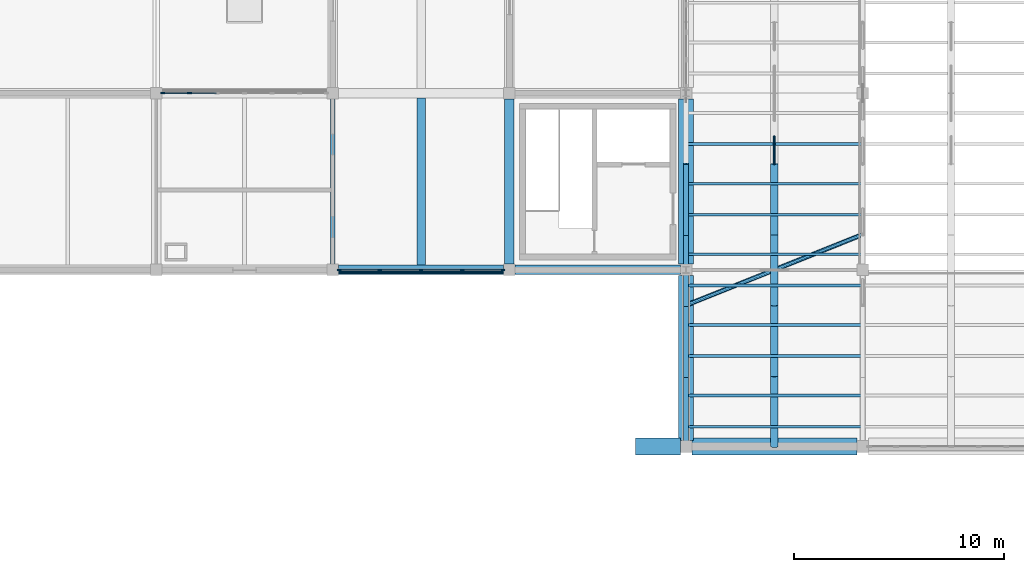
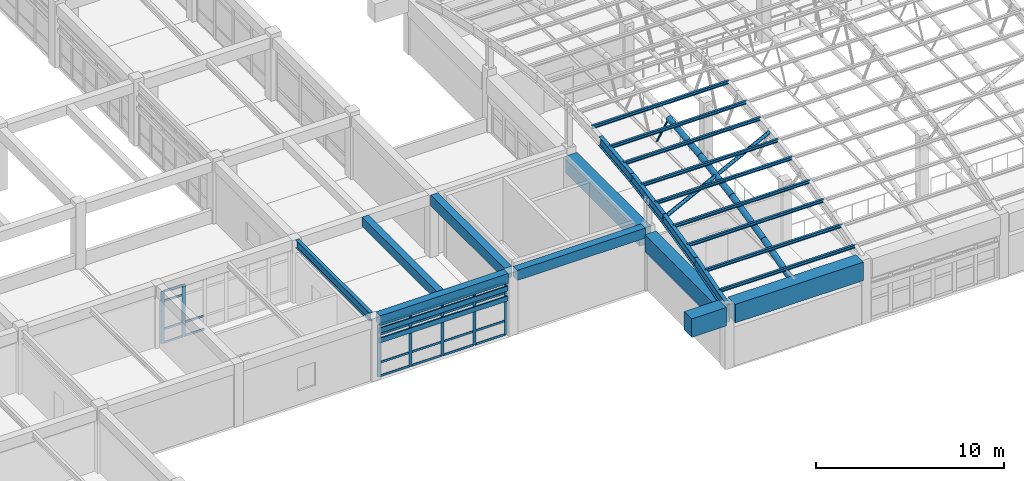
# One storey, part 14 of 74: 46 members, 13 beams, 2 elements without a shape of their own.
"""IFC4 building model written with IfcOpenShell, lengths in metres."""

from ifc_helpers import new_model, si_unit, direction, frame, origin, origin_2d, place, context, subcontext, project, spatial, rectangle, hollow_circle, i_section, extrude, material, layer, layer_set, material_profile, profile_set, type_object, element, aggregate, save


model = new_model("IFC4")

# Units and contexts
model_context = context("Model", 3, precision=1e-05, world=origin(), true_north=direction((0.0, 1.0)))
body_context = subcontext(model_context, "Body", "Model", "MODEL_VIEW")
ifc_project = project(units=[si_unit("LENGTHUNIT", "METRE"), si_unit("AREAUNIT", "SQUARE_METRE"), si_unit("VOLUMEUNIT", "CUBIC_METRE"), si_unit("PLANEANGLEUNIT", "RADIAN"), si_unit("MASSUNIT", "GRAM", prefix="KILO")], contexts=[model_context])

# Site, building, storey
site_placement = place(None, origin())
site = spatial("IfcSite", under=ifc_project, at=site_placement, CompositionType="ELEMENT")
building_placement = place(site_placement, origin())
building = spatial("IfcBuilding", under=site, at=building_placement, Name="Porcellanite Civic Hall", CompositionType="ELEMENT")
storey_placement = place(building_placement, frame((0.0, 0.0, 14.760009765625)))
storey = spatial("IfcBuildingStorey", under=building, at=storey_placement, Name="L03", CompositionType="ELEMENT", Elevation=14.760009765625)

# Members
ifc_material_1 = material(Name="Steel C350L0", Category="steel")
ifc_material_profile_1 = material_profile(ifc_material_1, hollow_circle(Radius=0.177734375, WallThickness=0.0126953125, at=origin_2d()), Name="355.6x12.7CHS")
ifc_profile_set_1 = profile_set([ifc_material_profile_1], Name="Steel C350L0")
member_type_1 = type_object("IfcMemberType", Name="ARCH-355CHS", PredefinedType="RAFTER", material=ifc_profile_set_1)
member_1_placement = place(storey_placement, frame((71.39990234375, 42.0, 3.725830078125), z_axis=(0.0, 0.961270518067, 0.275606587539), x_axis=(-1.0, 0.0, 0.0)))
element("IfcMember", 1, at=member_1_placement, inside=storey, type_object=member_type_1, Name="Chamber secondary arch segment 8 1", PredefinedType="RAFTER", context=body_context, shape_type="SweptSolid", body=[
    extrude(hollow_circle(Radius=0.177734375, WallThickness=0.0126953125, at=origin_2d()), origin(), (0.0, 0.0, 1.0), 3.49560546875),
])
member_2_placement = place(storey_placement, frame((71.39990234375, 45.360107421875, 4.69580078125), z_axis=(0.0, 0.975143991334, 0.221572101504), x_axis=(-1.0, 0.0, 0.0)))
element("IfcMember", 2, at=member_2_placement, inside=storey, type_object=member_type_1, Name="Chamber secondary arch segment 8 2", PredefinedType="RAFTER", context=body_context, shape_type="SweptSolid", body=[
    extrude(hollow_circle(Radius=0.177734375, WallThickness=0.0126953125, at=origin_2d()), origin(), (0.0, 0.0, 1.0), 3.445556640625),
])
member_3_placement = place(storey_placement, frame((71.39990234375, 48.719970703125, 5.465087890625), z_axis=(0.0, 0.985994119278, 0.166780084987), x_axis=(-1.0, 0.0, 0.0)))
element("IfcMember", 3, at=member_3_placement, inside=storey, type_object=member_type_1, Name="Chamber secondary arch segment 8 3", PredefinedType="RAFTER", context=body_context, shape_type="SweptSolid", body=[
    extrude(hollow_circle(Radius=0.177734375, WallThickness=0.0126953125, at=origin_2d()), origin(), (0.0, 0.0, 1.0), 3.407958984375),
])
member_4_placement = place(storey_placement, frame((71.39990234375, 52.080078125, 6.03857421875), z_axis=(0.0, 0.993765164221, 0.111493490304), x_axis=(-1.0, 0.0, 0.0)))
element("IfcMember", 4, at=member_4_placement, inside=storey, type_object=member_type_1, Name="Chamber secondary arch segment 8 4", PredefinedType="RAFTER", context=body_context, shape_type="SweptSolid", body=[
    extrude(hollow_circle(Radius=0.177734375, WallThickness=0.0126953125, at=origin_2d()), origin(), (0.0, 0.0, 1.0), 3.380859375),
])

# Beams
ifc_material_2 = material(Name="Concrete N50 (50 MPa)", Category="concrete")
ifc_material_profile_2 = material_profile(ifc_material_2, rectangle(XDim=0.39990234375, YDim=0.60009765625, at=origin_2d()), Name="RC-400x600")
ifc_profile_set_2 = profile_set([ifc_material_profile_2], Name="Concrete N50 (50 MPa)")
beam_type_1 = type_object("IfcBeamType", Name="BM-RC600", PredefinedType="JOIST", material=ifc_profile_set_2)
beam_1_placement = place(storey_placement, frame((54.60009765625, 50.62451171875, 3.77001953125), z_axis=(0.0, 1.0, 0.0), x_axis=(-1.0, 0.0, 0.0)))
element("IfcBeam", 5, at=beam_1_placement, inside=storey, type_object=beam_type_1, Name="Secondary joist L03 7-7", PredefinedType="JOIST", context=body_context, shape_type="SweptSolid", body=[
    extrude(rectangle(XDim=0.39990234375, YDim=0.60009765625, at=origin_2d()), origin(), (0.0, 0.0, 1.0), 7.950927734375),
])
ifc_material_3 = material(Name="Concrete N50 (50 MPa)", Category="concrete")
ifc_material_profile_3 = material_profile(ifc_material_3, rectangle(XDim=0.449951171875, YDim=0.64990234375, at=origin_2d()), Name="RC-450x650")
ifc_profile_set_3 = profile_set([ifc_material_profile_3], Name="Concrete N50 (50 MPa)")
beam_type_2 = type_object("IfcBeamType", Name="BM-RC650", PredefinedType="SPANDREL", material=ifc_profile_set_3)
beam_2_placement = place(storey_placement, frame((50.674560546875, 50.39990234375, 3.744873046875), z_axis=(1.0, 0.0, 0.0), x_axis=(0.0, 1.0, 0.0)))
element("IfcBeam", 6, at=beam_2_placement, inside=storey, type_object=beam_type_2, Name="Beam X L03 7-7", PredefinedType="SPANDREL", context=body_context, shape_type="SweptSolid", body=[
    extrude(rectangle(XDim=0.449951171875, YDim=0.64990234375, at=origin_2d()), origin(), (0.0, 0.0, 1.0), 7.850830078125),
])
beam_3_placement = place(storey_placement, frame((59.074462890625, 50.39990234375, 3.744873046875), z_axis=(1.0, 0.0, 0.0), x_axis=(0.0, 1.0, 0.0)))
element("IfcBeam", 7, at=beam_3_placement, inside=storey, type_object=beam_type_2, Name="Beam X L03 8-7", PredefinedType="SPANDREL", context=body_context, shape_type="SweptSolid", body=[
    extrude(rectangle(XDim=0.449951171875, YDim=0.64990234375, at=origin_2d()), origin(), (0.0, 0.0, 1.0), 7.85107421875),
])
ifc_material_4 = material(Name="Concrete N50 (50 MPa)", Category="concrete")
ifc_material_profile_4 = material_profile(ifc_material_4, rectangle(XDim=0.449951171875, YDim=0.699951171875, at=origin_2d()), Name="RC-450x700")
ifc_profile_set_4 = profile_set([ifc_material_profile_4], Name="Concrete N50 (50 MPa)")
beam_type_3 = type_object("IfcBeamType", Name="BM-RC700", PredefinedType="BEAM", material=ifc_profile_set_4)
beam_4_placement = place(storey_placement, frame((58.800048828125, 50.674560546875, 3.719970703125), z_axis=(0.0, 1.0, 0.0), x_axis=(-1.0, 0.0, 0.0)))
element("IfcBeam", 8, at=beam_4_placement, inside=storey, type_object=beam_type_3, Name="Beam Y L03 8-7", PredefinedType="BEAM", context=body_context, shape_type="SweptSolid", body=[
    extrude(rectangle(XDim=0.449951171875, YDim=0.699951171875, at=origin_2d()), origin(), (0.0, 0.0, 1.0), 7.850830078125),
])

# Members
ifc_material_5 = material(Name="Steel C350L0", Category="steel")
ifc_material_profile_5 = material_profile(ifc_material_5, hollow_circle(Radius=0.05712890625, WallThickness=0.006103515625, at=origin_2d()), Name="114.3x6.0CHS")
ifc_profile_set_5 = profile_set([ifc_material_profile_5], Name="Steel C350L0")
member_type_2 = type_object("IfcMemberType", Name="BRC-114CHS", PredefinedType="BRACE", material=ifc_profile_set_5)
member_5_placement = place(storey_placement, frame((71.39990234375, 56.739990234375, 4.11474609375), z_axis=(0.0, -0.490720574749, 0.871317001738), x_axis=(1.0, 0.0, 0.0)))
element("IfcMember", 9, at=member_5_placement, inside=storey, type_object=member_type_2, Name="Chamber secondary arch web 8-1", PredefinedType="BRACE", context=body_context, shape_type="SweptSolid", body=[
    extrude(hollow_circle(Radius=0.05712890625, WallThickness=0.006103515625, at=origin_2d()), origin(), (0.0, 0.0, 1.0), 2.649169921875),
])
ifc_material_6 = material(Name="Steel C350L0", Category="steel")
ifc_material_profile_6 = material_profile(ifc_material_6, hollow_circle(Radius=0.109619140625, WallThickness=0.00830078125, at=origin_2d()), Name="219.1x8.2CHS")
ifc_profile_set_6 = profile_set([ifc_material_profile_6], Name="Steel C350L0")
member_type_3 = type_object("IfcMemberType", Name="BRC-219CHS", PredefinedType="BRACE", material=ifc_profile_set_6)
member_6_placement = place(storey_placement, frame((67.20703125, 48.719970703125, 5.5146484375), z_axis=(0.926426885078, 0.371201875436, 0.062788488412), x_axis=(-0.371935758166, 0.928258472516, 0.0)))
element("IfcMember", 10, at=member_6_placement, inside=storey, type_object=member_type_3, Name="Chamber shell wind brace 8", PredefinedType="BRACE", context=body_context, shape_type="SweptSolid", body=[
    extrude(hollow_circle(Radius=0.109619140625, WallThickness=0.00830078125, at=origin_2d()), origin(), (0.0, 0.0, 1.0), 9.052001953125),
])

# Curtain wall, members
ifc_material_7 = material(Name="Anodised aluminium and solar laminated glass", Category="aluminium")
ifc_layer_1 = layer(ifc_material_7, 0.179931640625)
ifc_layer_set_1 = layer_set([ifc_layer_1], Name="Anodised aluminium and solar laminated glass")
curtain_wall_type_1 = type_object("IfcCurtainWallType", Name="CW-SYS01", PredefinedType="NOTDEFINED", material=ifc_layer_set_1)
curtain_wall_1_placement = place(storey_placement, origin())
curtain_wall_1 = element("IfcCurtainWall", 11, at=curtain_wall_1_placement, inside=storey, type_object=curtain_wall_type_1, Name="Curtain wall CW-191", PredefinedType="NOTDEFINED")
ifc_material_8 = material(Name="Anodised aluminium 6063-T6", Category="aluminium")
ifc_material_profile_7 = material_profile(ifc_material_8, rectangle(XDim=0.070068359375, YDim=0.199951171875, at=origin_2d()), Name="AL-70x200")
ifc_profile_set_7 = profile_set([ifc_material_profile_7], Name="Anodised aluminium 6063-T6")
member_type_4 = type_object("IfcMemberType", Name="CWM-05", PredefinedType="MULLION", material=ifc_profile_set_7)
member_7_placement = place(storey_placement, frame((42.31103515625, 58.800048828125, 0.0), z_axis=(0.0, 0.0, 1.0), x_axis=(0.0, 1.0, 0.0)))
member_7 = element("IfcMember", 12, at=member_7_placement, type_object=member_type_4, Name="CW-191 mullion 1", PredefinedType="MULLION", context=body_context, shape_type="SweptSolid", body=[
    extrude(rectangle(XDim=0.070068359375, YDim=0.199951171875, at=origin_2d()), origin(), (0.0, 0.0, 1.0), 3.369873046875),
])
member_8_placement = place(storey_placement, frame((43.583984375, 58.800048828125, 0.0), z_axis=(0.0, 0.0, 1.0), x_axis=(0.0, 1.0, 0.0)))
member_8 = element("IfcMember", 13, at=member_8_placement, type_object=member_type_4, Name="CW-191 mullion 2", PredefinedType="MULLION", context=body_context, shape_type="SweptSolid", body=[
    extrude(rectangle(XDim=0.070068359375, YDim=0.199951171875, at=origin_2d()), origin(), (0.0, 0.0, 1.0), 3.369873046875),
])

ifc_material_9 = material(Name="Anodised aluminium and solar laminated glass", Category="aluminium")
ifc_layer_2 = layer(ifc_material_9, 0.179931640625)
ifc_layer_set_2 = layer_set([ifc_layer_2], Name="Anodised aluminium and solar laminated glass")
curtain_wall_type_2 = type_object("IfcCurtainWallType", Name="CW-SYS06", PredefinedType="NOTDEFINED", material=ifc_layer_set_2)
curtain_wall_2_placement = place(storey_placement, origin())
curtain_wall_2 = element("IfcCurtainWall", 14, at=curtain_wall_2_placement, inside=storey, type_object=curtain_wall_type_2, Name="Curtain wall CW-194", PredefinedType="NOTDEFINED")
ifc_material_10 = material(Name="Anodised aluminium 6063-T6", Category="aluminium")
ifc_material_profile_8 = material_profile(ifc_material_10, rectangle(XDim=0.06494140625, YDim=0.179931640625, at=origin_2d()), Name="AL-65x180")
ifc_profile_set_8 = profile_set([ifc_material_profile_8], Name="Anodised aluminium 6063-T6")
member_type_5 = type_object("IfcMemberType", Name="CWM-06", PredefinedType="MULLION", material=ifc_profile_set_8)
member_9_placement = place(storey_placement, frame((58.491455078125, 50.39990234375, 0.0), z_axis=(0.0, 0.0, 1.0), x_axis=(0.0, -1.0, 0.0)))
member_9 = element("IfcMember", 15, at=member_9_placement, type_object=member_type_5, Name="CW-194 mullion 1", PredefinedType="MULLION", context=body_context, shape_type="SweptSolid", body=[
    extrude(rectangle(XDim=0.06494140625, YDim=0.179931640625, at=origin_2d()), origin(), (0.0, 0.0, 1.0), 3.369873046875),
])
member_10_placement = place(storey_placement, frame((56.56201171875, 50.39990234375, 0.0), z_axis=(0.0, 0.0, 1.0), x_axis=(0.0, -1.0, 0.0)))
member_10 = element("IfcMember", 16, at=member_10_placement, type_object=member_type_5, Name="CW-194 mullion 2", PredefinedType="MULLION", context=body_context, shape_type="SweptSolid", body=[
    extrude(rectangle(XDim=0.06494140625, YDim=0.179931640625, at=origin_2d()), origin(), (0.0, 0.0, 1.0), 3.369873046875),
])
member_11_placement = place(storey_placement, frame((54.60009765625, 50.39990234375, 0.0), z_axis=(0.0, 0.0, 1.0), x_axis=(0.0, -1.0, 0.0)))
member_11 = element("IfcMember", 17, at=member_11_placement, type_object=member_type_5, Name="CW-194 mullion 3", PredefinedType="MULLION", context=body_context, shape_type="SweptSolid", body=[
    extrude(rectangle(XDim=0.06494140625, YDim=0.179931640625, at=origin_2d()), origin(), (0.0, 0.0, 1.0), 3.369873046875),
])
member_12_placement = place(storey_placement, frame((52.637939453125, 50.39990234375, 0.0), z_axis=(0.0, 0.0, 1.0), x_axis=(0.0, -1.0, 0.0)))
member_12 = element("IfcMember", 18, at=member_12_placement, type_object=member_type_5, Name="CW-194 mullion 4", PredefinedType="MULLION", context=body_context, shape_type="SweptSolid", body=[
    extrude(rectangle(XDim=0.06494140625, YDim=0.179931640625, at=origin_2d()), origin(), (0.0, 0.0, 1.0), 3.369873046875),
])
member_13_placement = place(storey_placement, frame((50.70849609375, 50.39990234375, 0.0), z_axis=(0.0, 0.0, 1.0), x_axis=(0.0, -1.0, 0.0)))
member_13 = element("IfcMember", 19, at=member_13_placement, type_object=member_type_5, Name="CW-194 mullion 5", PredefinedType="MULLION", context=body_context, shape_type="SweptSolid", body=[
    extrude(rectangle(XDim=0.06494140625, YDim=0.179931640625, at=origin_2d()), origin(), (0.0, 0.0, 1.0), 3.369873046875),
])

# Member
ifc_material_11 = material(Name="Anodised aluminium 6063-T6", Category="aluminium")
ifc_material_profile_9 = material_profile(ifc_material_11, rectangle(XDim=0.06005859375, YDim=0.1298828125, at=origin_2d()), Name="AL-60x130")
ifc_profile_set_9 = profile_set([ifc_material_profile_9], Name="Anodised aluminium 6063-T6")
member_type_6 = type_object("IfcMemberType", Name="CWT-03", PredefinedType="USERDEFINED", material=ifc_profile_set_9)
member_14_placement = place(storey_placement, frame((42.345947265625, 58.800048828125, 0.030029296875), z_axis=(1.0, 0.0, 0.0), x_axis=(0.0, 1.0, 0.0)))
member_14 = element("IfcMember", 20, at=member_14_placement, type_object=member_type_6, Name="CW-191 transom 1.1", ObjectType="TRANSOM", PredefinedType="USERDEFINED", context=body_context, shape_type="SweptSolid", body=[
    extrude(rectangle(XDim=0.06005859375, YDim=0.1298828125, at=origin_2d()), origin(), (0.0, 0.0, 1.0), 1.203125),
])

member_15_placement = place(storey_placement, frame((42.345947265625, 58.800048828125, 0.89990234375), z_axis=(1.0, 0.0, 0.0), x_axis=(0.0, 1.0, 0.0)))
member_15 = element("IfcMember", 21, at=member_15_placement, type_object=member_type_6, Name="CW-191 transom 1.2", ObjectType="TRANSOM", PredefinedType="USERDEFINED", context=body_context, shape_type="SweptSolid", body=[
    extrude(rectangle(XDim=0.06005859375, YDim=0.1298828125, at=origin_2d()), origin(), (0.0, 0.0, 1.0), 1.203125),
])

member_16_placement = place(storey_placement, frame((42.345947265625, 58.800048828125, 2.719970703125), z_axis=(1.0, 0.0, 0.0), x_axis=(0.0, 1.0, 0.0)))
member_16 = element("IfcMember", 22, at=member_16_placement, type_object=member_type_6, Name="CW-191 transom 1.3", ObjectType="TRANSOM", PredefinedType="USERDEFINED", context=body_context, shape_type="SweptSolid", body=[
    extrude(rectangle(XDim=0.06005859375, YDim=0.1298828125, at=origin_2d()), origin(), (0.0, 0.0, 1.0), 1.203125),
])

member_17_placement = place(storey_placement, frame((42.345947265625, 58.800048828125, 3.340087890625), z_axis=(1.0, 0.0, 0.0), x_axis=(0.0, 1.0, 0.0)))
member_17 = element("IfcMember", 23, at=member_17_placement, type_object=member_type_6, Name="CW-191 transom 1.4", ObjectType="TRANSOM", PredefinedType="USERDEFINED", context=body_context, shape_type="SweptSolid", body=[
    extrude(rectangle(XDim=0.06005859375, YDim=0.1298828125, at=origin_2d()), origin(), (0.0, 0.0, 1.0), 1.203125),
])

member_18_placement = place(storey_placement, frame((43.618896484375, 58.800048828125, 0.030029296875), z_axis=(1.0, 0.0, 0.0), x_axis=(0.0, 1.0, 0.0)))
member_18 = element("IfcMember", 24, at=member_18_placement, type_object=member_type_6, Name="CW-191 transom 2.1", ObjectType="TRANSOM", PredefinedType="USERDEFINED", context=body_context, shape_type="SweptSolid", body=[
    extrude(rectangle(XDim=0.06005859375, YDim=0.1298828125, at=origin_2d()), origin(), (0.0, 0.0, 1.0), 1.238037109375),
])

member_19_placement = place(storey_placement, frame((43.618896484375, 58.800048828125, 0.89990234375), z_axis=(1.0, 0.0, 0.0), x_axis=(0.0, 1.0, 0.0)))
member_19 = element("IfcMember", 25, at=member_19_placement, type_object=member_type_6, Name="CW-191 transom 2.2", ObjectType="TRANSOM", PredefinedType="USERDEFINED", context=body_context, shape_type="SweptSolid", body=[
    extrude(rectangle(XDim=0.06005859375, YDim=0.1298828125, at=origin_2d()), origin(), (0.0, 0.0, 1.0), 1.238037109375),
])

aggregate(curtain_wall_1, [member_7, member_8, member_14, member_15, member_16, member_17, member_18, member_19])

ifc_material_12 = material(Name="Anodised aluminium 6063-T6", Category="aluminium")
ifc_material_profile_10 = material_profile(ifc_material_12, rectangle(XDim=0.050048828125, YDim=0.139892578125, at=origin_2d()), Name="AL-50x140")
ifc_profile_set_10 = profile_set([ifc_material_profile_10], Name="Anodised aluminium 6063-T6")
member_type_7 = type_object("IfcMemberType", Name="CWT-06", PredefinedType="USERDEFINED", material=ifc_profile_set_10)
member_20_placement = place(storey_placement, frame((58.458984375, 50.39990234375, 0.02490234375), z_axis=(-1.0, 0.0, 0.0), x_axis=(0.0, -1.0, 0.0)))
member_20 = element("IfcMember", 26, at=member_20_placement, type_object=member_type_7, Name="CW-194 transom 1.1", ObjectType="TRANSOM", PredefinedType="USERDEFINED", context=body_context, shape_type="SweptSolid", body=[
    extrude(rectangle(XDim=0.050048828125, YDim=0.139892578125, at=origin_2d()), origin(), (0.0, 0.0, 1.0), 1.864501953125),
])

member_21_placement = place(storey_placement, frame((58.458984375, 50.39990234375, 0.89990234375), z_axis=(-1.0, 0.0, 0.0), x_axis=(0.0, -1.0, 0.0)))
member_21 = element("IfcMember", 27, at=member_21_placement, type_object=member_type_7, Name="CW-194 transom 1.2", ObjectType="TRANSOM", PredefinedType="USERDEFINED", context=body_context, shape_type="SweptSolid", body=[
    extrude(rectangle(XDim=0.050048828125, YDim=0.139892578125, at=origin_2d()), origin(), (0.0, 0.0, 1.0), 1.864501953125),
])

member_22_placement = place(storey_placement, frame((58.458984375, 50.39990234375, 2.719970703125), z_axis=(-1.0, 0.0, 0.0), x_axis=(0.0, -1.0, 0.0)))
member_22 = element("IfcMember", 28, at=member_22_placement, type_object=member_type_7, Name="CW-194 transom 1.3", ObjectType="TRANSOM", PredefinedType="USERDEFINED", context=body_context, shape_type="SweptSolid", body=[
    extrude(rectangle(XDim=0.050048828125, YDim=0.139892578125, at=origin_2d()), origin(), (0.0, 0.0, 1.0), 1.864501953125),
])

member_23_placement = place(storey_placement, frame((58.458984375, 50.39990234375, 3.344970703125), z_axis=(-1.0, 0.0, 0.0), x_axis=(0.0, -1.0, 0.0)))
member_23 = element("IfcMember", 29, at=member_23_placement, type_object=member_type_7, Name="CW-194 transom 1.4", ObjectType="TRANSOM", PredefinedType="USERDEFINED", context=body_context, shape_type="SweptSolid", body=[
    extrude(rectangle(XDim=0.050048828125, YDim=0.139892578125, at=origin_2d()), origin(), (0.0, 0.0, 1.0), 1.864501953125),
])

member_24_placement = place(storey_placement, frame((56.529541015625, 50.39990234375, 0.02490234375), z_axis=(-1.0, 0.0, 0.0), x_axis=(0.0, -1.0, 0.0)))
member_24 = element("IfcMember", 30, at=member_24_placement, type_object=member_type_7, Name="CW-194 transom 2.1", ObjectType="TRANSOM", PredefinedType="USERDEFINED", context=body_context, shape_type="SweptSolid", body=[
    extrude(rectangle(XDim=0.050048828125, YDim=0.139892578125, at=origin_2d()), origin(), (0.0, 0.0, 1.0), 1.89697265625),
])

member_25_placement = place(storey_placement, frame((56.529541015625, 50.39990234375, 0.89990234375), z_axis=(-1.0, 0.0, 0.0), x_axis=(0.0, -1.0, 0.0)))
member_25 = element("IfcMember", 31, at=member_25_placement, type_object=member_type_7, Name="CW-194 transom 2.2", ObjectType="TRANSOM", PredefinedType="USERDEFINED", context=body_context, shape_type="SweptSolid", body=[
    extrude(rectangle(XDim=0.050048828125, YDim=0.139892578125, at=origin_2d()), origin(), (0.0, 0.0, 1.0), 1.89697265625),
])

member_26_placement = place(storey_placement, frame((56.529541015625, 50.39990234375, 2.719970703125), z_axis=(-1.0, 0.0, 0.0), x_axis=(0.0, -1.0, 0.0)))
member_26 = element("IfcMember", 32, at=member_26_placement, type_object=member_type_7, Name="CW-194 transom 2.3", ObjectType="TRANSOM", PredefinedType="USERDEFINED", context=body_context, shape_type="SweptSolid", body=[
    extrude(rectangle(XDim=0.050048828125, YDim=0.139892578125, at=origin_2d()), origin(), (0.0, 0.0, 1.0), 1.89697265625),
])

member_27_placement = place(storey_placement, frame((56.529541015625, 50.39990234375, 3.344970703125), z_axis=(-1.0, 0.0, 0.0), x_axis=(0.0, -1.0, 0.0)))
member_27 = element("IfcMember", 33, at=member_27_placement, type_object=member_type_7, Name="CW-194 transom 2.4", ObjectType="TRANSOM", PredefinedType="USERDEFINED", context=body_context, shape_type="SweptSolid", body=[
    extrude(rectangle(XDim=0.050048828125, YDim=0.139892578125, at=origin_2d()), origin(), (0.0, 0.0, 1.0), 1.89697265625),
])

member_28_placement = place(storey_placement, frame((54.5673828125, 50.39990234375, 0.02490234375), z_axis=(-1.0, 0.0, 0.0), x_axis=(0.0, -1.0, 0.0)))
member_28 = element("IfcMember", 34, at=member_28_placement, type_object=member_type_7, Name="CW-194 transom 3.1", ObjectType="TRANSOM", PredefinedType="USERDEFINED", context=body_context, shape_type="SweptSolid", body=[
    extrude(rectangle(XDim=0.050048828125, YDim=0.139892578125, at=origin_2d()), origin(), (0.0, 0.0, 1.0), 1.89697265625),
])

member_29_placement = place(storey_placement, frame((54.5673828125, 50.39990234375, 0.89990234375), z_axis=(-1.0, 0.0, 0.0), x_axis=(0.0, -1.0, 0.0)))
member_29 = element("IfcMember", 35, at=member_29_placement, type_object=member_type_7, Name="CW-194 transom 3.2", ObjectType="TRANSOM", PredefinedType="USERDEFINED", context=body_context, shape_type="SweptSolid", body=[
    extrude(rectangle(XDim=0.050048828125, YDim=0.139892578125, at=origin_2d()), origin(), (0.0, 0.0, 1.0), 1.89697265625),
])

member_30_placement = place(storey_placement, frame((54.5673828125, 50.39990234375, 2.719970703125), z_axis=(-1.0, 0.0, 0.0), x_axis=(0.0, -1.0, 0.0)))
member_30 = element("IfcMember", 36, at=member_30_placement, type_object=member_type_7, Name="CW-194 transom 3.3", ObjectType="TRANSOM", PredefinedType="USERDEFINED", context=body_context, shape_type="SweptSolid", body=[
    extrude(rectangle(XDim=0.050048828125, YDim=0.139892578125, at=origin_2d()), origin(), (0.0, 0.0, 1.0), 1.89697265625),
])

member_31_placement = place(storey_placement, frame((54.5673828125, 50.39990234375, 3.344970703125), z_axis=(-1.0, 0.0, 0.0), x_axis=(0.0, -1.0, 0.0)))
member_31 = element("IfcMember", 37, at=member_31_placement, type_object=member_type_7, Name="CW-194 transom 3.4", ObjectType="TRANSOM", PredefinedType="USERDEFINED", context=body_context, shape_type="SweptSolid", body=[
    extrude(rectangle(XDim=0.050048828125, YDim=0.139892578125, at=origin_2d()), origin(), (0.0, 0.0, 1.0), 1.89697265625),
])

member_32_placement = place(storey_placement, frame((52.60546875, 50.39990234375, 0.02490234375), z_axis=(-1.0, 0.0, 0.0), x_axis=(0.0, -1.0, 0.0)))
member_32 = element("IfcMember", 38, at=member_32_placement, type_object=member_type_7, Name="CW-194 transom 4.1", ObjectType="TRANSOM", PredefinedType="USERDEFINED", context=body_context, shape_type="SweptSolid", body=[
    extrude(rectangle(XDim=0.050048828125, YDim=0.139892578125, at=origin_2d()), origin(), (0.0, 0.0, 1.0), 1.864501953125),
])

member_33_placement = place(storey_placement, frame((52.60546875, 50.39990234375, 0.89990234375), z_axis=(-1.0, 0.0, 0.0), x_axis=(0.0, -1.0, 0.0)))
member_33 = element("IfcMember", 39, at=member_33_placement, type_object=member_type_7, Name="CW-194 transom 4.2", ObjectType="TRANSOM", PredefinedType="USERDEFINED", context=body_context, shape_type="SweptSolid", body=[
    extrude(rectangle(XDim=0.050048828125, YDim=0.139892578125, at=origin_2d()), origin(), (0.0, 0.0, 1.0), 1.864501953125),
])

member_34_placement = place(storey_placement, frame((52.60546875, 50.39990234375, 2.719970703125), z_axis=(-1.0, 0.0, 0.0), x_axis=(0.0, -1.0, 0.0)))
member_34 = element("IfcMember", 40, at=member_34_placement, type_object=member_type_7, Name="CW-194 transom 4.3", ObjectType="TRANSOM", PredefinedType="USERDEFINED", context=body_context, shape_type="SweptSolid", body=[
    extrude(rectangle(XDim=0.050048828125, YDim=0.139892578125, at=origin_2d()), origin(), (0.0, 0.0, 1.0), 1.864501953125),
])

member_35_placement = place(storey_placement, frame((52.60546875, 50.39990234375, 3.344970703125), z_axis=(-1.0, 0.0, 0.0), x_axis=(0.0, -1.0, 0.0)))
member_35 = element("IfcMember", 41, at=member_35_placement, type_object=member_type_7, Name="CW-194 transom 4.4", ObjectType="TRANSOM", PredefinedType="USERDEFINED", context=body_context, shape_type="SweptSolid", body=[
    extrude(rectangle(XDim=0.050048828125, YDim=0.139892578125, at=origin_2d()), origin(), (0.0, 0.0, 1.0), 1.864501953125),
])

aggregate(curtain_wall_2, [member_9, member_10, member_11, member_12, member_13, member_20, member_21, member_22, member_23, member_24, member_25, member_26, member_27, member_28, member_29, member_30, member_31, member_32, member_33, member_34, member_35])

# Beams
ifc_material_13 = material(Name="Concrete N50 (50 MPa)", Category="concrete")
ifc_material_profile_11 = material_profile(ifc_material_13, rectangle(XDim=0.800048828125, YDim=1.199951171875, at=origin_2d()), Name="RC-800x1200")
ifc_profile_set_11 = profile_set([ifc_material_profile_11], Name="Concrete N50 (50 MPa)")
beam_type_4 = type_object("IfcBeamType", Name="EB-CH1", PredefinedType="SPANDREL", material=ifc_profile_set_11)
beam_5_placement = place(storey_placement, frame((67.474609375, 42.0, 3.524658203125), z_axis=(1.0, 0.0, 0.0), x_axis=(0.0, 1.0, 0.0)))
element("IfcBeam", 42, at=beam_5_placement, inside=storey, type_object=beam_type_4, Name="Chamber visible shell edge beam S 8", PredefinedType="SPANDREL", context=body_context, shape_type="SweptSolid", body=[
    extrude(rectangle(XDim=0.800048828125, YDim=1.199951171875, at=origin_2d()), origin(), (0.0, 0.0, 1.0), 7.850830078125),
])
beam_6_placement = place(storey_placement, frame((66.925537109375, 42.0, 3.524658203125), z_axis=(-1.0, 0.0, 0.0), x_axis=(0.0, -1.0, 0.0)))
element("IfcBeam", 43, at=beam_6_placement, inside=storey, type_object=beam_type_4, Name="Chamber cantilevered shell edge beam W S", PredefinedType="SPANDREL", context=body_context, shape_type="SweptSolid", body=[
    extrude(rectangle(XDim=0.800048828125, YDim=1.199951171875, at=origin_2d()), origin(), (0.0, 0.0, 1.0), 2.12548828125),
])
ifc_material_14 = material(Name="Concrete N50 (50 MPa)", Category="concrete")
ifc_material_profile_12 = material_profile(ifc_material_14, rectangle(XDim=0.699951171875, YDim=1.10009765625, at=origin_2d()), Name="RC-700x1100")
ifc_profile_set_12 = profile_set([ifc_material_profile_12], Name="Concrete N50 (50 MPa)")
beam_type_5 = type_object("IfcBeamType", Name="EB-CH2", PredefinedType="BEAM", material=ifc_profile_set_12)
beam_7_placement = place(storey_placement, frame((67.199951171875, 42.2744140625, 3.144775390625), z_axis=(0.0, 1.0, 0.0), x_axis=(-1.0, 0.0, 0.0)))
element("IfcBeam", 44, at=beam_7_placement, inside=storey, type_object=beam_type_5, Name="Chamber end ring beam W 5", PredefinedType="BEAM", context=body_context, shape_type="SweptSolid", body=[
    extrude(rectangle(XDim=0.699951171875, YDim=1.10009765625, at=origin_2d()), origin(), (0.0, 0.0, 1.0), 7.85107421875),
])
beam_8_placement = place(storey_placement, frame((67.199951171875, 50.674560546875, 3.144775390625), z_axis=(0.0, 1.0, 0.0), x_axis=(-1.0, 0.0, 0.0)))
element("IfcBeam", 45, at=beam_8_placement, inside=storey, type_object=beam_type_5, Name="Chamber end ring beam W 6", PredefinedType="BEAM", context=body_context, shape_type="SweptSolid", body=[
    extrude(rectangle(XDim=0.699951171875, YDim=1.10009765625, at=origin_2d()), origin(), (0.0, 0.0, 1.0), 7.850830078125),
])

# Members
ifc_material_15 = material(Name="Fluoropolymer bauxite-red aluminium 6063-T6", Category="aluminium")
ifc_material_profile_13 = material_profile(ifc_material_15, rectangle(XDim=0.080078125, YDim=0.320068359375, at=origin_2d()), Name="AL-80x320")
ifc_profile_set_13 = profile_set([ifc_material_profile_13], Name="Fluoropolymer bauxite-red aluminium 6063-T6")
member_type_8 = type_object("IfcMemberType", Name="LV-BLD03", PredefinedType="USERDEFINED", material=ifc_profile_set_13)
for number, where, z_axis, x_axis, name in (
    (46, (58.525390625, 50.26806640625, 3.070068359375), (-1.0, 0.0, 0.0), (0.0, -1.0, 0.0), "Cyclone sunshade louvre L03 S 6-6 1"),
    (47, (58.525390625, 50.26806640625, 2.419921875), (-1.0, 0.0, 0.0), (0.0, -1.0, 0.0), "Cyclone sunshade louvre L03 S 6-6 2"),
):
    element("IfcMember", number, at=place(storey_placement, frame(where, z_axis=z_axis, x_axis=x_axis)), inside=storey, type_object=member_type_8, Name=name, ObjectType="LOUVRE BLADE", PredefinedType="USERDEFINED", context=body_context, shape_type="SweptSolid", body=[
        extrude(rectangle(XDim=0.080078125, YDim=0.320068359375, at=origin_2d()), origin(), (0.0, 0.0, 1.0), 7.850830078125),
    ])
ifc_material_16 = material(Name="Steel Grade 350", Category="steel")
ifc_material_profile_14 = material_profile(ifc_material_16, i_section(OverallWidth=0.133056640625, OverallDepth=0.202880859375, WebThickness=0.005859375, FlangeThickness=0.0078125, FilletRadius=0.0087890625, at=origin_2d()), Name="200UB25.4")
ifc_profile_set_14 = profile_set([ifc_material_profile_14], Name="Steel Grade 350")
member_type_9 = type_object("IfcMemberType", Name="PUR-200UB25", PredefinedType="PURLIN", material=ifc_profile_set_14)
for number, where, z_axis, x_axis, name in (
    (48, (67.20654296875, 42.94091796875, 4.273681640625), (1.0, 0.0, 0.0), (0.0, 1.0, 0.0), "Chamber shell purlin 8 1A"),
    (49, (67.20654296875, 44.419189453125, 4.69775390625), (1.0, 0.0, 0.0), (0.0, 1.0, 0.0), "Chamber shell purlin 8 1B"),
    (50, (67.20654296875, 46.30078125, 5.18798828125), (1.0, 0.0, 0.0), (0.0, 1.0, 0.0), "Chamber shell purlin 8 2A"),
    (51, (67.20654296875, 47.779296875, 5.523681640625), (1.0, 0.0, 0.0), (0.0, 1.0, 0.0), "Chamber shell purlin 8 2B"),
    (52, (67.20654296875, 49.660888671875, 5.902587890625), (1.0, 0.0, 0.0), (0.0, 1.0, 0.0), "Chamber shell purlin 8 3A"),
    (53, (67.20654296875, 51.13916015625, 6.152587890625), (1.0, 0.0, 0.0), (0.0, 1.0, 0.0), "Chamber shell purlin 8 3B"),
    (54, (67.20654296875, 53.020751953125, 6.422607421875), (1.0, 0.0, 0.0), (0.0, 1.0, 0.0), "Chamber shell purlin 8 4A"),
    (55, (67.20654296875, 54.499267578125, 6.58837890625), (1.0, 0.0, 0.0), (0.0, 1.0, 0.0), "Chamber shell purlin 8 4B"),
    (56, (67.20654296875, 56.380859375, 6.7509765625), (1.0, 0.0, 0.0), (0.0, 1.0, 0.0), "Chamber shell purlin 8 5A"),
):
    element("IfcMember", number, at=place(storey_placement, frame(where, z_axis=z_axis, x_axis=x_axis)), inside=storey, type_object=member_type_9, Name=name, PredefinedType="PURLIN", context=body_context, shape_type="SweptSolid", body=[
        extrude(i_section(OverallWidth=0.133056640625, OverallDepth=0.202880859375, WebThickness=0.005859375, FlangeThickness=0.0078125, FilletRadius=0.0087890625, at=origin_2d()), origin(), (0.0, 0.0, 1.0), 8.386962890625),
    ])

# Beams
ifc_material_17 = material(Name="Steel Grade 350", Category="steel")
ifc_material_profile_15 = material_profile(ifc_material_17, i_section(OverallWidth=0.208984375, OverallDepth=0.528076171875, WebThickness=0.009521484375, FlangeThickness=0.01318359375, FilletRadius=0.013916015625, at=origin_2d()), Name="530UB82.0")
ifc_profile_set_15 = profile_set([ifc_material_profile_15], Name="Steel Grade 350")
beam_type_6 = type_object("IfcBeamType", Name="RAF-530UB82", PredefinedType="BEAM", material=ifc_profile_set_15)
beam_9_placement = place(storey_placement, frame((50.39990234375, 50.674560546875, 3.805908203125), z_axis=(0.0, 1.0, 0.0), x_axis=(-1.0, 0.0, 0.0)))
element("IfcBeam", 57, at=beam_9_placement, inside=storey, type_object=beam_type_6, Name="Beam Y L03 7-7", PredefinedType="BEAM", context=body_context, shape_type="SweptSolid", body=[
    extrude(i_section(OverallWidth=0.208984375, OverallDepth=0.528076171875, WebThickness=0.009521484375, FlangeThickness=0.01318359375, FilletRadius=0.013916015625, at=origin_2d()), origin(), (0.0, 0.0, 1.0), 7.850830078125),
])
ifc_material_18 = material(Name="Steel Grade 350", Category="steel")
ifc_material_profile_16 = material_profile(ifc_material_18, i_section(OverallWidth=0.22900390625, OverallDepth=0.612060546875, WebThickness=0.011962890625, FlangeThickness=0.01953125, FilletRadius=0.013916015625, at=origin_2d()), Name="610UB125")
ifc_profile_set_16 = profile_set([ifc_material_profile_16], Name="Steel Grade 350")
beam_type_7 = type_object("IfcBeamType", Name="RIB-610UB125", PredefinedType="BEAM", material=ifc_profile_set_16)
beam_10_placement = place(storey_placement, frame((67.199951171875, 42.0, 3.787841796875), z_axis=(0.0, 0.961252012167, 0.275671124902), x_axis=(-1.0, 0.0, 0.0)))
element("IfcBeam", 58, at=beam_10_placement, inside=storey, type_object=beam_type_7, Name="Chamber steel arch rib 8 seg 1", PredefinedType="BEAM", context=body_context, shape_type="SweptSolid", body=[
    extrude(i_section(OverallWidth=0.22900390625, OverallDepth=0.612060546875, WebThickness=0.011962890625, FlangeThickness=0.01953125, FilletRadius=0.013916015625, at=origin_2d()), origin(), (0.0, 0.0, 1.0), 3.49560546875),
])
beam_11_placement = place(storey_placement, frame((67.199951171875, 45.360107421875, 4.75146484375), z_axis=(0.0, 0.9751592991, 0.221504720897), x_axis=(-1.0, 0.0, 0.0)))
element("IfcBeam", 59, at=beam_11_placement, inside=storey, type_object=beam_type_7, Name="Chamber steel arch rib 8 seg 2", PredefinedType="BEAM", context=body_context, shape_type="SweptSolid", body=[
    extrude(i_section(OverallWidth=0.22900390625, OverallDepth=0.612060546875, WebThickness=0.011962890625, FlangeThickness=0.01953125, FilletRadius=0.013916015625, at=origin_2d()), origin(), (0.0, 0.0, 1.0), 3.445556640625),
])
beam_12_placement = place(storey_placement, frame((67.199951171875, 48.719970703125, 5.5146484375), z_axis=(0.0, 0.985994119278, 0.166780084987), x_axis=(-1.0, 0.0, 0.0)))
element("IfcBeam", 60, at=beam_12_placement, inside=storey, type_object=beam_type_7, Name="Chamber steel arch rib 8 seg 3", PredefinedType="BEAM", context=body_context, shape_type="SweptSolid", body=[
    extrude(i_section(OverallWidth=0.22900390625, OverallDepth=0.612060546875, WebThickness=0.011962890625, FlangeThickness=0.01953125, FilletRadius=0.013916015625, at=origin_2d()), origin(), (0.0, 0.0, 1.0), 3.407958984375),
])
beam_13_placement = place(storey_placement, frame((67.199951171875, 52.080078125, 6.0830078125), z_axis=(0.0, 0.993765164221, 0.111493490304), x_axis=(-1.0, 0.0, 0.0)))
element("IfcBeam", 61, at=beam_13_placement, inside=storey, type_object=beam_type_7, Name="Chamber steel arch rib 8 seg 4", PredefinedType="BEAM", context=body_context, shape_type="SweptSolid", body=[
    extrude(i_section(OverallWidth=0.22900390625, OverallDepth=0.612060546875, WebThickness=0.011962890625, FlangeThickness=0.01953125, FilletRadius=0.013916015625, at=origin_2d()), origin(), (0.0, 0.0, 1.0), 3.380859375),
])

save(model, "model.ifc")
